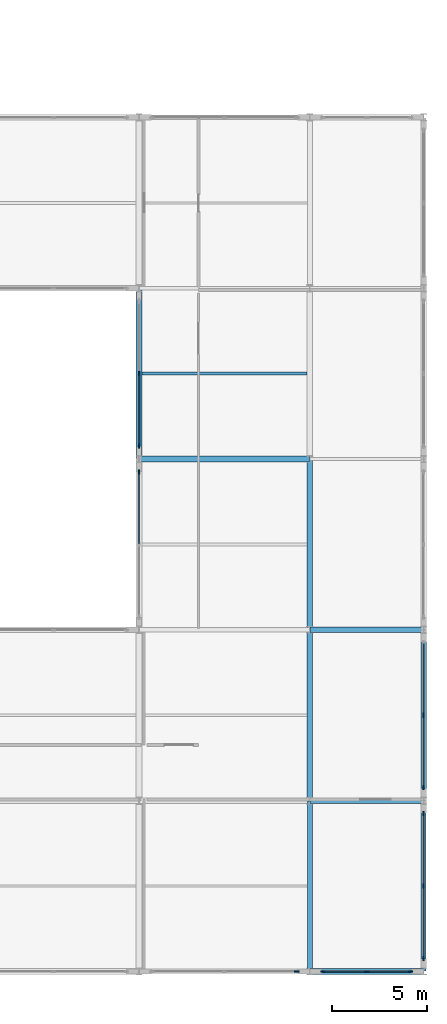
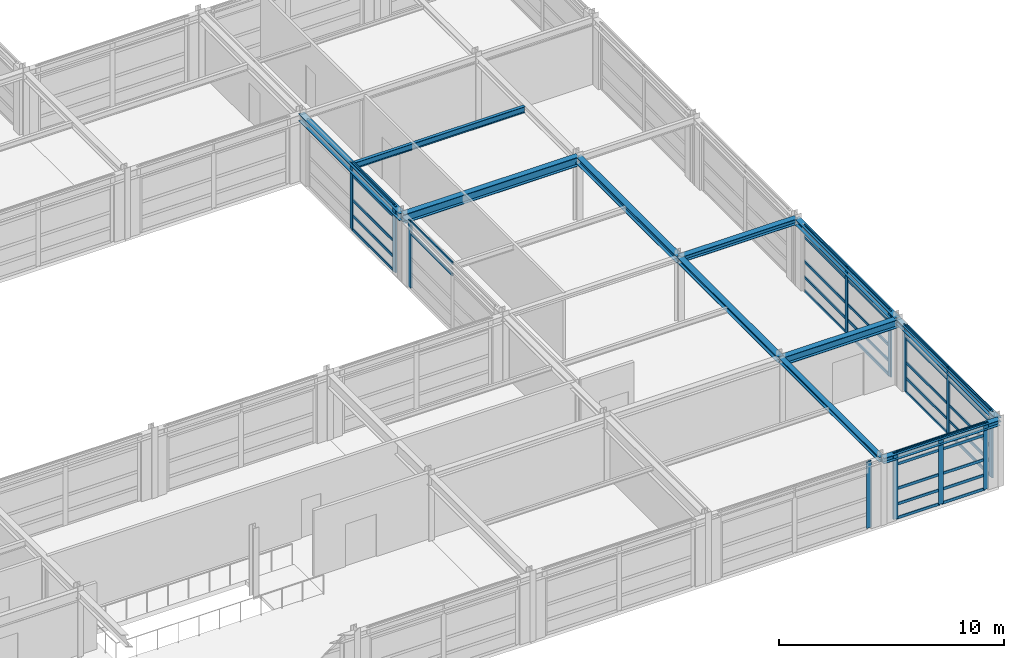
# One storey, part 42 of 79: 49 members, 11 beams, 6 elements without a shape of their own.
"""IFC4 building model written with IfcOpenShell, lengths in metres."""

from ifc_helpers import new_model, si_unit, direction, frame, origin, origin_2d, place, context, subcontext, project, spatial, rectangle, i_section, extrude, material, material_profile, profile_set, type_object, element, aggregate, save


model = new_model("IFC4")

# Units and contexts
model_context = context("Model", 3, precision=1e-05, world=origin(), true_north=direction((0.0, 1.0)))
body_context = subcontext(model_context, "Body", "Model", "MODEL_VIEW")
ifc_project = project(units=[si_unit("LENGTHUNIT", "METRE"), si_unit("AREAUNIT", "SQUARE_METRE"), si_unit("VOLUMEUNIT", "CUBIC_METRE"), si_unit("PLANEANGLEUNIT", "RADIAN"), si_unit("MASSUNIT", "GRAM", prefix="KILO")], contexts=[model_context])

# Site, building, storey
site_placement = place(None, origin())
site = spatial("IfcSite", under=ifc_project, at=site_placement, CompositionType="ELEMENT")
building_placement = place(site_placement, origin())
building = spatial("IfcBuilding", under=site, at=building_placement, Name="Palais des Congres Ocreval", CompositionType="ELEMENT")
storey_placement = place(building_placement, frame((0.0, 0.0, 4.320068359375)))
storey = spatial("IfcBuildingStorey", under=building, at=storey_placement, Name="L01", CompositionType="ELEMENT", Elevation=4.320068359375)

# Curtain wall, members
ifc_material_1 = material(Name="Anodized bronze aluminium and low-E glass", Category="glass")
curtain_wall_type_1 = type_object("IfcCurtainWallType", Name="Unitised Curtain Wall 7900x3660", PredefinedType="USERDEFINED", material=ifc_material_1)
curtain_wall_1_placement = place(storey_placement, origin())
curtain_wall_1 = element("IfcCurtainWall", 1, at=curtain_wall_1_placement, inside=storey, type_object=curtain_wall_type_1, Name="Unitised Curtain Wall CW02 L01", ObjectType="UNITISED CURTAIN WALL", PredefinedType="USERDEFINED")
ifc_material_2 = material(Name="Anodized bronze aluminium", Category="aluminium")
ifc_material_profile_1 = material_profile(ifc_material_2, rectangle(XDim=0.074951171875, YDim=0.239990234375, at=origin_2d()), Name="ALU 75x240")
ifc_profile_set_1 = profile_set([ifc_material_profile_1], Name="Anodized bronze aluminium")
member_type_1 = type_object("IfcMemberType", Name="Curtain Wall Mullion ALU 75x240", PredefinedType="MULLION", material=ifc_profile_set_1)
member_1_placement = place(storey_placement, frame((168.0, 13.5, 0.0), z_axis=(0.0, 0.0, 1.0), x_axis=(1.0, 0.0, 0.0)))
member_1 = element("IfcMember", 2, at=member_1_placement, type_object=member_type_1, Name="Curtain Wall Mullion ML01", PredefinedType="MULLION", context=body_context, shape_type="SweptSolid", body=[
    extrude(rectangle(XDim=0.074951171875, YDim=0.239990234375, at=origin_2d()), origin(), (0.0, 0.0, 1.0), 3.599853515625),
])
member_2_placement = place(storey_placement, frame((168.0, 9.6875, 0.0), z_axis=(0.0, 0.0, 1.0), x_axis=(1.0, 0.0, 0.0)))
member_2 = element("IfcMember", 3, at=member_2_placement, type_object=member_type_1, Name="Curtain Wall Mullion ML01", PredefinedType="MULLION", context=body_context, shape_type="SweptSolid", body=[
    extrude(rectangle(XDim=0.074951171875, YDim=0.239990234375, at=origin_2d()), origin(), (0.0, 0.0, 1.0), 3.599853515625),
])

curtain_wall_2_placement = place(storey_placement, origin())
curtain_wall_2 = element("IfcCurtainWall", 4, at=curtain_wall_2_placement, inside=storey, type_object=curtain_wall_type_1, Name="Unitised Curtain Wall CW02 L01", ObjectType="UNITISED CURTAIN WALL", PredefinedType="USERDEFINED")
member_3_placement = place(storey_placement, frame((168.0, 8.3125, 0.0), z_axis=(0.0, 0.0, 1.0), x_axis=(1.0, 0.0, 0.0)))
member_3 = element("IfcMember", 5, at=member_3_placement, type_object=member_type_1, Name="Curtain Wall Mullion ML01", PredefinedType="MULLION", context=body_context, shape_type="SweptSolid", body=[
    extrude(rectangle(XDim=0.074951171875, YDim=0.239990234375, at=origin_2d()), origin(), (0.0, 0.0, 1.0), 3.599853515625),
])
member_4_placement = place(storey_placement, frame((168.0, 4.5, 0.0), z_axis=(0.0, 0.0, 1.0), x_axis=(1.0, 0.0, 0.0)))
member_4 = element("IfcMember", 6, at=member_4_placement, type_object=member_type_1, Name="Curtain Wall Mullion ML01", PredefinedType="MULLION", context=body_context, shape_type="SweptSolid", body=[
    extrude(rectangle(XDim=0.074951171875, YDim=0.239990234375, at=origin_2d()), origin(), (0.0, 0.0, 1.0), 3.599853515625),
])
member_5_placement = place(storey_placement, frame((168.0, 0.6875, 0.0), z_axis=(0.0, 0.0, 1.0), x_axis=(1.0, 0.0, 0.0)))
member_5 = element("IfcMember", 7, at=member_5_placement, type_object=member_type_1, Name="Curtain Wall Mullion ML01", PredefinedType="MULLION", context=body_context, shape_type="SweptSolid", body=[
    extrude(rectangle(XDim=0.074951171875, YDim=0.239990234375, at=origin_2d()), origin(), (0.0, 0.0, 1.0), 3.599853515625),
])

curtain_wall_type_2 = type_object("IfcCurtainWallType", Name="Unitised Curtain Wall 4900x4060", PredefinedType="USERDEFINED", material=ifc_material_1)
curtain_wall_3_placement = place(storey_placement, origin())
curtain_wall_3 = element("IfcCurtainWall", 8, at=curtain_wall_3_placement, inside=storey, type_object=curtain_wall_type_2, Name="Unitised Curtain Wall CW07 L01", ObjectType="UNITISED CURTAIN WALL", PredefinedType="USERDEFINED")
member_6_placement = place(storey_placement, frame((167.3125, 0.0, 0.0), z_axis=(0.0, 0.0, 1.0), x_axis=(0.0, -1.0, 0.0)))
member_6 = element("IfcMember", 9, at=member_6_placement, type_object=member_type_1, Name="Curtain Wall Mullion ML01", PredefinedType="MULLION", context=body_context, shape_type="SweptSolid", body=[
    extrude(rectangle(XDim=0.074951171875, YDim=0.239990234375, at=origin_2d()), origin(), (0.0, 0.0, 1.0), 3.599853515625),
])
member_7_placement = place(storey_placement, frame((165.0, 0.0, 0.0), z_axis=(0.0, 0.0, 1.0), x_axis=(0.0, -1.0, 0.0)))
member_7 = element("IfcMember", 10, at=member_7_placement, type_object=member_type_1, Name="Curtain Wall Mullion ML01", PredefinedType="MULLION", context=body_context, shape_type="SweptSolid", body=[
    extrude(rectangle(XDim=0.074951171875, YDim=0.239990234375, at=origin_2d()), origin(), (0.0, 0.0, 1.0), 3.599853515625),
])
member_8_placement = place(storey_placement, frame((162.6875, 0.0, 0.0), z_axis=(0.0, 0.0, 1.0), x_axis=(0.0, -1.0, 0.0)))
member_8 = element("IfcMember", 11, at=member_8_placement, type_object=member_type_1, Name="Curtain Wall Mullion ML01", PredefinedType="MULLION", context=body_context, shape_type="SweptSolid", body=[
    extrude(rectangle(XDim=0.074951171875, YDim=0.239990234375, at=origin_2d()), origin(), (0.0, 0.0, 1.0), 3.599853515625),
])

# Curtain wall, member
curtain_wall_4_placement = place(storey_placement, origin())
curtain_wall_4 = element("IfcCurtainWall", 12, at=curtain_wall_4_placement, inside=storey, type_object=curtain_wall_type_1, Name="Unitised Curtain Wall CW02 L01", ObjectType="UNITISED CURTAIN WALL", PredefinedType="USERDEFINED")
member_9_placement = place(storey_placement, frame((161.3125, 0.0, 0.0), z_axis=(0.0, 0.0, 1.0), x_axis=(0.0, -1.0, 0.0)))
member_9 = element("IfcMember", 13, at=member_9_placement, type_object=member_type_1, Name="Curtain Wall Mullion ML01", PredefinedType="MULLION", context=body_context, shape_type="SweptSolid", body=[
    extrude(rectangle(XDim=0.074951171875, YDim=0.239990234375, at=origin_2d()), origin(), (0.0, 0.0, 1.0), 3.599853515625),
])
aggregate(curtain_wall_4, [member_9])

curtain_wall_5_placement = place(storey_placement, origin())
curtain_wall_5 = element("IfcCurtainWall", 14, at=curtain_wall_5_placement, inside=storey, type_object=curtain_wall_type_1, Name="Unitised Curtain Wall CW02 L01", ObjectType="UNITISED CURTAIN WALL", PredefinedType="USERDEFINED")
member_10_placement = place(storey_placement, frame((153.0, 26.3125, 0.0), z_axis=(0.0, 0.0, 1.0), x_axis=(-1.0, 0.0, 0.0)))
member_10 = element("IfcMember", 15, at=member_10_placement, type_object=member_type_1, Name="Curtain Wall Mullion ML01", PredefinedType="MULLION", context=body_context, shape_type="SweptSolid", body=[
    extrude(rectangle(XDim=0.074951171875, YDim=0.239990234375, at=origin_2d()), origin(), (0.0, 0.0, 1.0), 3.599853515625),
])

# Curtain wall, members
curtain_wall_6_placement = place(storey_placement, origin())
curtain_wall_6 = element("IfcCurtainWall", 16, at=curtain_wall_6_placement, inside=storey, type_object=curtain_wall_type_1, Name="Unitised Curtain Wall CW02 L01", ObjectType="UNITISED CURTAIN WALL", PredefinedType="USERDEFINED")
member_11_placement = place(storey_placement, frame((153.0, 27.6875, 0.0), z_axis=(0.0, 0.0, 1.0), x_axis=(-1.0, 0.0, 0.0)))
member_11 = element("IfcMember", 17, at=member_11_placement, type_object=member_type_1, Name="Curtain Wall Mullion ML01", PredefinedType="MULLION", context=body_context, shape_type="SweptSolid", body=[
    extrude(rectangle(XDim=0.074951171875, YDim=0.239990234375, at=origin_2d()), origin(), (0.0, 0.0, 1.0), 3.599853515625),
])
member_12_placement = place(storey_placement, frame((153.0, 31.5, 0.0), z_axis=(0.0, 0.0, 1.0), x_axis=(-1.0, 0.0, 0.0)))
member_12 = element("IfcMember", 18, at=member_12_placement, type_object=member_type_1, Name="Curtain Wall Mullion ML01", PredefinedType="MULLION", context=body_context, shape_type="SweptSolid", body=[
    extrude(rectangle(XDim=0.074951171875, YDim=0.239990234375, at=origin_2d()), origin(), (0.0, 0.0, 1.0), 3.599853515625),
])

# Member
ifc_material_profile_2 = material_profile(ifc_material_2, rectangle(XDim=0.06005859375, YDim=0.14990234375, at=origin_2d()), Name="ALU 60x150")
ifc_profile_set_2 = profile_set([ifc_material_profile_2], Name="Anodized bronze aluminium")
member_type_2 = type_object("IfcMemberType", Name="Curtain Wall Transom ALU 60x150", PredefinedType="USERDEFINED", material=ifc_profile_set_2)
member_13_placement = place(storey_placement, frame((168.0, 17.27490234375, 0.030029296875), z_axis=(0.0, -1.0, 0.0), x_axis=(1.0, 0.0, 0.0)))
member_13 = element("IfcMember", 19, at=member_13_placement, type_object=member_type_2, Name="Curtain Wall Transom TR01", ObjectType="TRANSOM", PredefinedType="USERDEFINED", context=body_context, shape_type="SweptSolid", body=[
    extrude(rectangle(XDim=0.06005859375, YDim=0.14990234375, at=origin_2d()), origin(), (0.0, 0.0, 1.0), 3.7373046875),
])

member_14_placement = place(storey_placement, frame((168.0, 17.27490234375, 0.780029296875), z_axis=(0.0, -1.0, 0.0), x_axis=(1.0, 0.0, 0.0)))
member_14 = element("IfcMember", 20, at=member_14_placement, type_object=member_type_2, Name="Curtain Wall Transom TR01", ObjectType="TRANSOM", PredefinedType="USERDEFINED", context=body_context, shape_type="SweptSolid", body=[
    extrude(rectangle(XDim=0.06005859375, YDim=0.14990234375, at=origin_2d()), origin(), (0.0, 0.0, 1.0), 3.7373046875),
])

member_15_placement = place(storey_placement, frame((168.0, 17.27490234375, 1.622314453125), z_axis=(0.0, -1.0, 0.0), x_axis=(1.0, 0.0, 0.0)))
member_15 = element("IfcMember", 21, at=member_15_placement, type_object=member_type_2, Name="Curtain Wall Transom TR01", ObjectType="TRANSOM", PredefinedType="USERDEFINED", context=body_context, shape_type="SweptSolid", body=[
    extrude(rectangle(XDim=0.06005859375, YDim=0.14990234375, at=origin_2d()), origin(), (0.0, 0.0, 1.0), 3.7373046875),
])

member_16_placement = place(storey_placement, frame((168.0, 17.27490234375, 2.949951171875), z_axis=(0.0, -1.0, 0.0), x_axis=(1.0, 0.0, 0.0)))
member_16 = element("IfcMember", 22, at=member_16_placement, type_object=member_type_2, Name="Curtain Wall Transom TR01", ObjectType="TRANSOM", PredefinedType="USERDEFINED", context=body_context, shape_type="SweptSolid", body=[
    extrude(rectangle(XDim=0.06005859375, YDim=0.14990234375, at=origin_2d()), origin(), (0.0, 0.0, 1.0), 3.7373046875),
])

member_17_placement = place(storey_placement, frame((168.0, 17.27490234375, 3.56982421875), z_axis=(0.0, -1.0, 0.0), x_axis=(1.0, 0.0, 0.0)))
member_17 = element("IfcMember", 23, at=member_17_placement, type_object=member_type_2, Name="Curtain Wall Transom TR01", ObjectType="TRANSOM", PredefinedType="USERDEFINED", context=body_context, shape_type="SweptSolid", body=[
    extrude(rectangle(XDim=0.06005859375, YDim=0.14990234375, at=origin_2d()), origin(), (0.0, 0.0, 1.0), 3.7373046875),
])

member_18_placement = place(storey_placement, frame((168.0, 13.46240234375, 0.030029296875), z_axis=(0.0, -1.0, 0.0), x_axis=(1.0, 0.0, 0.0)))
member_18 = element("IfcMember", 24, at=member_18_placement, type_object=member_type_2, Name="Curtain Wall Transom TR01", ObjectType="TRANSOM", PredefinedType="USERDEFINED", context=body_context, shape_type="SweptSolid", body=[
    extrude(rectangle(XDim=0.06005859375, YDim=0.14990234375, at=origin_2d()), origin(), (0.0, 0.0, 1.0), 3.7373046875),
])

member_19_placement = place(storey_placement, frame((168.0, 13.46240234375, 0.780029296875), z_axis=(0.0, -1.0, 0.0), x_axis=(1.0, 0.0, 0.0)))
member_19 = element("IfcMember", 25, at=member_19_placement, type_object=member_type_2, Name="Curtain Wall Transom TR01", ObjectType="TRANSOM", PredefinedType="USERDEFINED", context=body_context, shape_type="SweptSolid", body=[
    extrude(rectangle(XDim=0.06005859375, YDim=0.14990234375, at=origin_2d()), origin(), (0.0, 0.0, 1.0), 3.7373046875),
])

member_20_placement = place(storey_placement, frame((168.0, 13.46240234375, 1.622314453125), z_axis=(0.0, -1.0, 0.0), x_axis=(1.0, 0.0, 0.0)))
member_20 = element("IfcMember", 26, at=member_20_placement, type_object=member_type_2, Name="Curtain Wall Transom TR01", ObjectType="TRANSOM", PredefinedType="USERDEFINED", context=body_context, shape_type="SweptSolid", body=[
    extrude(rectangle(XDim=0.06005859375, YDim=0.14990234375, at=origin_2d()), origin(), (0.0, 0.0, 1.0), 3.7373046875),
])

member_21_placement = place(storey_placement, frame((168.0, 13.46240234375, 2.949951171875), z_axis=(0.0, -1.0, 0.0), x_axis=(1.0, 0.0, 0.0)))
member_21 = element("IfcMember", 27, at=member_21_placement, type_object=member_type_2, Name="Curtain Wall Transom TR01", ObjectType="TRANSOM", PredefinedType="USERDEFINED", context=body_context, shape_type="SweptSolid", body=[
    extrude(rectangle(XDim=0.06005859375, YDim=0.14990234375, at=origin_2d()), origin(), (0.0, 0.0, 1.0), 3.7373046875),
])

member_22_placement = place(storey_placement, frame((168.0, 13.46240234375, 3.56982421875), z_axis=(0.0, -1.0, 0.0), x_axis=(1.0, 0.0, 0.0)))
member_22 = element("IfcMember", 28, at=member_22_placement, type_object=member_type_2, Name="Curtain Wall Transom TR01", ObjectType="TRANSOM", PredefinedType="USERDEFINED", context=body_context, shape_type="SweptSolid", body=[
    extrude(rectangle(XDim=0.06005859375, YDim=0.14990234375, at=origin_2d()), origin(), (0.0, 0.0, 1.0), 3.7373046875),
])

aggregate(curtain_wall_1, [member_1, member_2, member_13, member_14, member_15, member_16, member_17, member_18, member_19, member_20, member_21, member_22])

member_23_placement = place(storey_placement, frame((168.0, 8.27490234375, 0.030029296875), z_axis=(0.0, -1.0, 0.0), x_axis=(1.0, 0.0, 0.0)))
member_23 = element("IfcMember", 29, at=member_23_placement, type_object=member_type_2, Name="Curtain Wall Transom TR01", ObjectType="TRANSOM", PredefinedType="USERDEFINED", context=body_context, shape_type="SweptSolid", body=[
    extrude(rectangle(XDim=0.06005859375, YDim=0.14990234375, at=origin_2d()), origin(), (0.0, 0.0, 1.0), 3.7373046875),
])

member_24_placement = place(storey_placement, frame((168.0, 8.27490234375, 0.780029296875), z_axis=(0.0, -1.0, 0.0), x_axis=(1.0, 0.0, 0.0)))
member_24 = element("IfcMember", 30, at=member_24_placement, type_object=member_type_2, Name="Curtain Wall Transom TR01", ObjectType="TRANSOM", PredefinedType="USERDEFINED", context=body_context, shape_type="SweptSolid", body=[
    extrude(rectangle(XDim=0.06005859375, YDim=0.14990234375, at=origin_2d()), origin(), (0.0, 0.0, 1.0), 3.7373046875),
])

member_25_placement = place(storey_placement, frame((168.0, 8.27490234375, 1.622314453125), z_axis=(0.0, -1.0, 0.0), x_axis=(1.0, 0.0, 0.0)))
member_25 = element("IfcMember", 31, at=member_25_placement, type_object=member_type_2, Name="Curtain Wall Transom TR01", ObjectType="TRANSOM", PredefinedType="USERDEFINED", context=body_context, shape_type="SweptSolid", body=[
    extrude(rectangle(XDim=0.06005859375, YDim=0.14990234375, at=origin_2d()), origin(), (0.0, 0.0, 1.0), 3.7373046875),
])

member_26_placement = place(storey_placement, frame((168.0, 8.27490234375, 2.949951171875), z_axis=(0.0, -1.0, 0.0), x_axis=(1.0, 0.0, 0.0)))
member_26 = element("IfcMember", 32, at=member_26_placement, type_object=member_type_2, Name="Curtain Wall Transom TR01", ObjectType="TRANSOM", PredefinedType="USERDEFINED", context=body_context, shape_type="SweptSolid", body=[
    extrude(rectangle(XDim=0.06005859375, YDim=0.14990234375, at=origin_2d()), origin(), (0.0, 0.0, 1.0), 3.7373046875),
])

member_27_placement = place(storey_placement, frame((168.0, 8.27490234375, 3.56982421875), z_axis=(0.0, -1.0, 0.0), x_axis=(1.0, 0.0, 0.0)))
member_27 = element("IfcMember", 33, at=member_27_placement, type_object=member_type_2, Name="Curtain Wall Transom TR01", ObjectType="TRANSOM", PredefinedType="USERDEFINED", context=body_context, shape_type="SweptSolid", body=[
    extrude(rectangle(XDim=0.06005859375, YDim=0.14990234375, at=origin_2d()), origin(), (0.0, 0.0, 1.0), 3.7373046875),
])

member_28_placement = place(storey_placement, frame((168.0, 4.46240234375, 0.030029296875), z_axis=(0.0, -1.0, 0.0), x_axis=(1.0, 0.0, 0.0)))
member_28 = element("IfcMember", 34, at=member_28_placement, type_object=member_type_2, Name="Curtain Wall Transom TR01", ObjectType="TRANSOM", PredefinedType="USERDEFINED", context=body_context, shape_type="SweptSolid", body=[
    extrude(rectangle(XDim=0.06005859375, YDim=0.14990234375, at=origin_2d()), origin(), (0.0, 0.0, 1.0), 3.7373046875),
])

member_29_placement = place(storey_placement, frame((168.0, 4.46240234375, 0.780029296875), z_axis=(0.0, -1.0, 0.0), x_axis=(1.0, 0.0, 0.0)))
member_29 = element("IfcMember", 35, at=member_29_placement, type_object=member_type_2, Name="Curtain Wall Transom TR01", ObjectType="TRANSOM", PredefinedType="USERDEFINED", context=body_context, shape_type="SweptSolid", body=[
    extrude(rectangle(XDim=0.06005859375, YDim=0.14990234375, at=origin_2d()), origin(), (0.0, 0.0, 1.0), 3.7373046875),
])

member_30_placement = place(storey_placement, frame((168.0, 4.46240234375, 1.622314453125), z_axis=(0.0, -1.0, 0.0), x_axis=(1.0, 0.0, 0.0)))
member_30 = element("IfcMember", 36, at=member_30_placement, type_object=member_type_2, Name="Curtain Wall Transom TR01", ObjectType="TRANSOM", PredefinedType="USERDEFINED", context=body_context, shape_type="SweptSolid", body=[
    extrude(rectangle(XDim=0.06005859375, YDim=0.14990234375, at=origin_2d()), origin(), (0.0, 0.0, 1.0), 3.7373046875),
])

member_31_placement = place(storey_placement, frame((168.0, 4.46240234375, 2.949951171875), z_axis=(0.0, -1.0, 0.0), x_axis=(1.0, 0.0, 0.0)))
member_31 = element("IfcMember", 37, at=member_31_placement, type_object=member_type_2, Name="Curtain Wall Transom TR01", ObjectType="TRANSOM", PredefinedType="USERDEFINED", context=body_context, shape_type="SweptSolid", body=[
    extrude(rectangle(XDim=0.06005859375, YDim=0.14990234375, at=origin_2d()), origin(), (0.0, 0.0, 1.0), 3.7373046875),
])

member_32_placement = place(storey_placement, frame((168.0, 4.46240234375, 3.56982421875), z_axis=(0.0, -1.0, 0.0), x_axis=(1.0, 0.0, 0.0)))
member_32 = element("IfcMember", 38, at=member_32_placement, type_object=member_type_2, Name="Curtain Wall Transom TR01", ObjectType="TRANSOM", PredefinedType="USERDEFINED", context=body_context, shape_type="SweptSolid", body=[
    extrude(rectangle(XDim=0.06005859375, YDim=0.14990234375, at=origin_2d()), origin(), (0.0, 0.0, 1.0), 3.7373046875),
])

aggregate(curtain_wall_2, [member_3, member_4, member_5, member_23, member_24, member_25, member_26, member_27, member_28, member_29, member_30, member_31, member_32])

member_33_placement = place(storey_placement, frame((167.27490234375, 0.0, 0.030029296875), z_axis=(-1.0, 0.0, 0.0), x_axis=(0.0, -1.0, 0.0)))
member_33 = element("IfcMember", 39, at=member_33_placement, type_object=member_type_2, Name="Curtain Wall Transom TR01", ObjectType="TRANSOM", PredefinedType="USERDEFINED", context=body_context, shape_type="SweptSolid", body=[
    extrude(rectangle(XDim=0.06005859375, YDim=0.14990234375, at=origin_2d()), origin(), (0.0, 0.0, 1.0), 2.2373046875),
])

member_34_placement = place(storey_placement, frame((167.27490234375, 0.0, 0.780029296875), z_axis=(-1.0, 0.0, 0.0), x_axis=(0.0, -1.0, 0.0)))
member_34 = element("IfcMember", 40, at=member_34_placement, type_object=member_type_2, Name="Curtain Wall Transom TR01", ObjectType="TRANSOM", PredefinedType="USERDEFINED", context=body_context, shape_type="SweptSolid", body=[
    extrude(rectangle(XDim=0.06005859375, YDim=0.14990234375, at=origin_2d()), origin(), (0.0, 0.0, 1.0), 2.2373046875),
])

member_35_placement = place(storey_placement, frame((167.27490234375, 0.0, 1.622314453125), z_axis=(-1.0, 0.0, 0.0), x_axis=(0.0, -1.0, 0.0)))
member_35 = element("IfcMember", 41, at=member_35_placement, type_object=member_type_2, Name="Curtain Wall Transom TR01", ObjectType="TRANSOM", PredefinedType="USERDEFINED", context=body_context, shape_type="SweptSolid", body=[
    extrude(rectangle(XDim=0.06005859375, YDim=0.14990234375, at=origin_2d()), origin(), (0.0, 0.0, 1.0), 2.2373046875),
])

member_36_placement = place(storey_placement, frame((167.27490234375, 0.0, 2.949951171875), z_axis=(-1.0, 0.0, 0.0), x_axis=(0.0, -1.0, 0.0)))
member_36 = element("IfcMember", 42, at=member_36_placement, type_object=member_type_2, Name="Curtain Wall Transom TR01", ObjectType="TRANSOM", PredefinedType="USERDEFINED", context=body_context, shape_type="SweptSolid", body=[
    extrude(rectangle(XDim=0.06005859375, YDim=0.14990234375, at=origin_2d()), origin(), (0.0, 0.0, 1.0), 2.2373046875),
])

member_37_placement = place(storey_placement, frame((167.27490234375, 0.0, 3.56982421875), z_axis=(-1.0, 0.0, 0.0), x_axis=(0.0, -1.0, 0.0)))
member_37 = element("IfcMember", 43, at=member_37_placement, type_object=member_type_2, Name="Curtain Wall Transom TR01", ObjectType="TRANSOM", PredefinedType="USERDEFINED", context=body_context, shape_type="SweptSolid", body=[
    extrude(rectangle(XDim=0.06005859375, YDim=0.14990234375, at=origin_2d()), origin(), (0.0, 0.0, 1.0), 2.2373046875),
])

member_38_placement = place(storey_placement, frame((164.96240234375, 0.0, 0.030029296875), z_axis=(-1.0, 0.0, 0.0), x_axis=(0.0, -1.0, 0.0)))
member_38 = element("IfcMember", 44, at=member_38_placement, type_object=member_type_2, Name="Curtain Wall Transom TR01", ObjectType="TRANSOM", PredefinedType="USERDEFINED", context=body_context, shape_type="SweptSolid", body=[
    extrude(rectangle(XDim=0.06005859375, YDim=0.14990234375, at=origin_2d()), origin(), (0.0, 0.0, 1.0), 2.2373046875),
])

member_39_placement = place(storey_placement, frame((164.96240234375, 0.0, 0.780029296875), z_axis=(-1.0, 0.0, 0.0), x_axis=(0.0, -1.0, 0.0)))
member_39 = element("IfcMember", 45, at=member_39_placement, type_object=member_type_2, Name="Curtain Wall Transom TR01", ObjectType="TRANSOM", PredefinedType="USERDEFINED", context=body_context, shape_type="SweptSolid", body=[
    extrude(rectangle(XDim=0.06005859375, YDim=0.14990234375, at=origin_2d()), origin(), (0.0, 0.0, 1.0), 2.2373046875),
])

member_40_placement = place(storey_placement, frame((164.96240234375, 0.0, 1.622314453125), z_axis=(-1.0, 0.0, 0.0), x_axis=(0.0, -1.0, 0.0)))
member_40 = element("IfcMember", 46, at=member_40_placement, type_object=member_type_2, Name="Curtain Wall Transom TR01", ObjectType="TRANSOM", PredefinedType="USERDEFINED", context=body_context, shape_type="SweptSolid", body=[
    extrude(rectangle(XDim=0.06005859375, YDim=0.14990234375, at=origin_2d()), origin(), (0.0, 0.0, 1.0), 2.2373046875),
])

member_41_placement = place(storey_placement, frame((164.96240234375, 0.0, 2.949951171875), z_axis=(-1.0, 0.0, 0.0), x_axis=(0.0, -1.0, 0.0)))
member_41 = element("IfcMember", 47, at=member_41_placement, type_object=member_type_2, Name="Curtain Wall Transom TR01", ObjectType="TRANSOM", PredefinedType="USERDEFINED", context=body_context, shape_type="SweptSolid", body=[
    extrude(rectangle(XDim=0.06005859375, YDim=0.14990234375, at=origin_2d()), origin(), (0.0, 0.0, 1.0), 2.2373046875),
])

member_42_placement = place(storey_placement, frame((164.96240234375, 0.0, 3.56982421875), z_axis=(-1.0, 0.0, 0.0), x_axis=(0.0, -1.0, 0.0)))
member_42 = element("IfcMember", 48, at=member_42_placement, type_object=member_type_2, Name="Curtain Wall Transom TR01", ObjectType="TRANSOM", PredefinedType="USERDEFINED", context=body_context, shape_type="SweptSolid", body=[
    extrude(rectangle(XDim=0.06005859375, YDim=0.14990234375, at=origin_2d()), origin(), (0.0, 0.0, 1.0), 2.2373046875),
])

aggregate(curtain_wall_3, [member_6, member_7, member_8, member_33, member_34, member_35, member_36, member_37, member_38, member_39, member_40, member_41, member_42])

member_43_placement = place(storey_placement, frame((153.0, 22.53759765625, 2.949951171875), z_axis=(0.0, 1.0, 0.0), x_axis=(-1.0, 0.0, 0.0)))
member_43 = element("IfcMember", 49, at=member_43_placement, type_object=member_type_2, Name="Curtain Wall Transom TR01", ObjectType="TRANSOM", PredefinedType="USERDEFINED", context=body_context, shape_type="SweptSolid", body=[
    extrude(rectangle(XDim=0.06005859375, YDim=0.14990234375, at=origin_2d()), origin(), (0.0, 0.0, 1.0), 3.7373046875),
])

member_44_placement = place(storey_placement, frame((153.0, 22.53759765625, 3.56982421875), z_axis=(0.0, 1.0, 0.0), x_axis=(-1.0, 0.0, 0.0)))
member_44 = element("IfcMember", 50, at=member_44_placement, type_object=member_type_2, Name="Curtain Wall Transom TR01", ObjectType="TRANSOM", PredefinedType="USERDEFINED", context=body_context, shape_type="SweptSolid", body=[
    extrude(rectangle(XDim=0.06005859375, YDim=0.14990234375, at=origin_2d()), origin(), (0.0, 0.0, 1.0), 3.7373046875),
])

aggregate(curtain_wall_5, [member_10, member_43, member_44])

member_45_placement = place(storey_placement, frame((153.0, 27.72509765625, 0.030029296875), z_axis=(0.0, 1.0, 0.0), x_axis=(-1.0, 0.0, 0.0)))
member_45 = element("IfcMember", 51, at=member_45_placement, type_object=member_type_2, Name="Curtain Wall Transom TR01", ObjectType="TRANSOM", PredefinedType="USERDEFINED", context=body_context, shape_type="SweptSolid", body=[
    extrude(rectangle(XDim=0.06005859375, YDim=0.14990234375, at=origin_2d()), origin(), (0.0, 0.0, 1.0), 3.7373046875),
])

member_46_placement = place(storey_placement, frame((153.0, 27.72509765625, 0.780029296875), z_axis=(0.0, 1.0, 0.0), x_axis=(-1.0, 0.0, 0.0)))
member_46 = element("IfcMember", 52, at=member_46_placement, type_object=member_type_2, Name="Curtain Wall Transom TR01", ObjectType="TRANSOM", PredefinedType="USERDEFINED", context=body_context, shape_type="SweptSolid", body=[
    extrude(rectangle(XDim=0.06005859375, YDim=0.14990234375, at=origin_2d()), origin(), (0.0, 0.0, 1.0), 3.7373046875),
])

member_47_placement = place(storey_placement, frame((153.0, 27.72509765625, 1.622314453125), z_axis=(0.0, 1.0, 0.0), x_axis=(-1.0, 0.0, 0.0)))
member_47 = element("IfcMember", 53, at=member_47_placement, type_object=member_type_2, Name="Curtain Wall Transom TR01", ObjectType="TRANSOM", PredefinedType="USERDEFINED", context=body_context, shape_type="SweptSolid", body=[
    extrude(rectangle(XDim=0.06005859375, YDim=0.14990234375, at=origin_2d()), origin(), (0.0, 0.0, 1.0), 3.7373046875),
])

member_48_placement = place(storey_placement, frame((153.0, 27.72509765625, 2.949951171875), z_axis=(0.0, 1.0, 0.0), x_axis=(-1.0, 0.0, 0.0)))
member_48 = element("IfcMember", 54, at=member_48_placement, type_object=member_type_2, Name="Curtain Wall Transom TR01", ObjectType="TRANSOM", PredefinedType="USERDEFINED", context=body_context, shape_type="SweptSolid", body=[
    extrude(rectangle(XDim=0.06005859375, YDim=0.14990234375, at=origin_2d()), origin(), (0.0, 0.0, 1.0), 3.7373046875),
])

member_49_placement = place(storey_placement, frame((153.0, 27.72509765625, 3.56982421875), z_axis=(0.0, 1.0, 0.0), x_axis=(-1.0, 0.0, 0.0)))
member_49 = element("IfcMember", 55, at=member_49_placement, type_object=member_type_2, Name="Curtain Wall Transom TR01", ObjectType="TRANSOM", PredefinedType="USERDEFINED", context=body_context, shape_type="SweptSolid", body=[
    extrude(rectangle(XDim=0.06005859375, YDim=0.14990234375, at=origin_2d()), origin(), (0.0, 0.0, 1.0), 3.7373046875),
])

aggregate(curtain_wall_6, [member_11, member_12, member_45, member_46, member_47, member_48, member_49])

# Beams
ifc_material_3 = material(Name="Steel S355", Category="steel")
ifc_material_profile_3 = material_profile(ifc_material_3, i_section(OverallWidth=0.260009765625, OverallDepth=0.260009765625, WebThickness=0.010009765625, FlangeThickness=0.017578125, at=origin_2d()), Name="HEB 260")
ifc_profile_set_3 = profile_set([ifc_material_profile_3], Name="Steel S355")
beam_type_1 = type_object("IfcBeamType", Name="Opening Lintel HEB 260 Steel S355", PredefinedType="LINTEL", material=ifc_profile_set_3)
for number, where, z_axis, x_axis, name in (
    (56, (162.0, 0.02001953125, 3.449951171875), (0.0, 1.0, 0.0), (-1.0, 0.0, 0.0), "Girder LN01 L01"),
    (57, (168.0, 0.02001953125, 3.449951171875), (0.0, 1.0, 0.0), (-1.0, 0.0, 0.0), "Girder LN01 L01"),
):
    element("IfcBeam", number, at=place(storey_placement, frame(where, z_axis=z_axis, x_axis=x_axis)), inside=storey, type_object=beam_type_1, Name=name, PredefinedType="LINTEL", context=body_context, shape_type="SweptSolid", body=[
        extrude(i_section(OverallWidth=0.260009765625, OverallDepth=0.260009765625, WebThickness=0.010009765625, FlangeThickness=0.017578125, at=origin_2d()), origin(), (0.0, 0.0, 1.0), 8.9599609375),
    ])
ifc_material_profile_4 = material_profile(ifc_material_3, i_section(OverallWidth=0.300048828125, OverallDepth=0.300048828125, WebThickness=0.010986328125, FlangeThickness=0.01904296875, at=origin_2d()), Name="HEB 300")
ifc_profile_set_4 = profile_set([ifc_material_profile_4], Name="Steel S355")
beam_type_2 = type_object("IfcBeamType", Name="Perimeter Spandrel HEB 300 Steel S355", PredefinedType="SPANDREL", material=ifc_profile_set_4)
beam_1_placement = place(storey_placement, frame((162.02001953125, 0.0, 3.429931640625), z_axis=(1.0, 0.0, 0.0), x_axis=(0.0, 1.0, 0.0)))
element("IfcBeam", 58, at=beam_1_placement, inside=storey, type_object=beam_type_2, Name="Beam SP02 L01", PredefinedType="SPANDREL", context=body_context, shape_type="SweptSolid", body=[
    extrude(i_section(OverallWidth=0.300048828125, OverallDepth=0.300048828125, WebThickness=0.010986328125, FlangeThickness=0.01904296875, at=origin_2d()), origin(), (0.0, 0.0, 1.0), 5.9599609375),
])
beam_2_placement = place(storey_placement, frame((162.0, 9.02001953125, 3.429931640625), z_axis=(0.0, 1.0, 0.0), x_axis=(-1.0, 0.0, 0.0)))
element("IfcBeam", 59, at=beam_2_placement, inside=storey, type_object=beam_type_2, Name="Girder SP02 L01", PredefinedType="SPANDREL", context=body_context, shape_type="SweptSolid", body=[
    extrude(i_section(OverallWidth=0.300048828125, OverallDepth=0.300048828125, WebThickness=0.010986328125, FlangeThickness=0.01904296875, at=origin_2d()), origin(), (0.0, 0.0, 1.0), 8.9599609375),
])
beam_3_placement = place(storey_placement, frame((162.02001953125, 18.0, 3.429931640625), z_axis=(1.0, 0.0, 0.0), x_axis=(0.0, 1.0, 0.0)))
element("IfcBeam", 60, at=beam_3_placement, inside=storey, type_object=beam_type_2, Name="Beam SP02 L01", PredefinedType="SPANDREL", context=body_context, shape_type="SweptSolid", body=[
    extrude(i_section(OverallWidth=0.300048828125, OverallDepth=0.300048828125, WebThickness=0.010986328125, FlangeThickness=0.01904296875, at=origin_2d()), origin(), (0.0, 0.0, 1.0), 5.9599609375),
])
beam_4_placement = place(storey_placement, frame((168.0, 9.02001953125, 3.429931640625), z_axis=(0.0, 1.0, 0.0), x_axis=(-1.0, 0.0, 0.0)))
element("IfcBeam", 61, at=beam_4_placement, inside=storey, type_object=beam_type_2, Name="Girder SP02 L01", PredefinedType="SPANDREL", context=body_context, shape_type="SweptSolid", body=[
    extrude(i_section(OverallWidth=0.300048828125, OverallDepth=0.300048828125, WebThickness=0.010986328125, FlangeThickness=0.01904296875, at=origin_2d()), origin(), (0.0, 0.0, 1.0), 8.9599609375),
])
ifc_material_profile_5 = material_profile(ifc_material_3, i_section(OverallWidth=0.300048828125, OverallDepth=0.360107421875, WebThickness=0.012451171875, FlangeThickness=0.0224609375, at=origin_2d()), Name="HEB 360")
ifc_profile_set_5 = profile_set([ifc_material_profile_5], Name="Steel S355")
beam_type_3 = type_object("IfcBeamType", Name="Perimeter Spandrel HEB 360 Steel S355", PredefinedType="SPANDREL", material=ifc_profile_set_5)
beam_5_placement = place(storey_placement, frame((162.0, 18.02001953125, 3.39990234375), z_axis=(0.0, 1.0, 0.0), x_axis=(-1.0, 0.0, 0.0)))
element("IfcBeam", 62, at=beam_5_placement, inside=storey, type_object=beam_type_3, Name="Girder SP03 L01", PredefinedType="SPANDREL", context=body_context, shape_type="SweptSolid", body=[
    extrude(i_section(OverallWidth=0.300048828125, OverallDepth=0.360107421875, WebThickness=0.012451171875, FlangeThickness=0.0224609375, at=origin_2d()), origin(), (0.0, 0.0, 1.0), 8.9599609375),
])
ifc_material_profile_6 = material_profile(ifc_material_3, i_section(OverallWidth=0.300048828125, OverallDepth=0.389892578125, WebThickness=0.010986328125, FlangeThickness=0.01904296875, at=origin_2d()), Name="HEA 400")
ifc_profile_set_6 = profile_set([ifc_material_profile_6], Name="Steel S355")
beam_type_4 = type_object("IfcBeamType", Name="Primary Beam HEA 400 Steel S355", PredefinedType="BEAM", material=ifc_profile_set_6)
beam_6_placement = place(storey_placement, frame((153.0, 27.02001953125, 3.385009765625), z_axis=(0.0, 1.0, 0.0), x_axis=(-1.0, 0.0, 0.0)))
element("IfcBeam", 63, at=beam_6_placement, inside=storey, type_object=beam_type_4, Name="Girder B10 L01", PredefinedType="BEAM", context=body_context, shape_type="SweptSolid", body=[
    extrude(i_section(OverallWidth=0.300048828125, OverallDepth=0.389892578125, WebThickness=0.010986328125, FlangeThickness=0.01904296875, at=origin_2d()), origin(), (0.0, 0.0, 1.0), 8.9599609375),
])
ifc_material_profile_7 = material_profile(ifc_material_3, i_section(OverallWidth=0.300048828125, OverallDepth=0.43994140625, WebThickness=0.011474609375, FlangeThickness=0.02099609375, at=origin_2d()), Name="HEA 450")
ifc_profile_set_7 = profile_set([ifc_material_profile_7], Name="Steel S355")
beam_type_5 = type_object("IfcBeamType", Name="Primary Beam HEA 450 Steel S355", PredefinedType="BEAM", material=ifc_profile_set_7)
beam_7_placement = place(storey_placement, frame((162.02001953125, 9.0, 3.35986328125), z_axis=(1.0, 0.0, 0.0), x_axis=(0.0, 1.0, 0.0)))
element("IfcBeam", 64, at=beam_7_placement, inside=storey, type_object=beam_type_5, Name="Beam B11 L01", PredefinedType="BEAM", context=body_context, shape_type="SweptSolid", body=[
    extrude(i_section(OverallWidth=0.300048828125, OverallDepth=0.43994140625, WebThickness=0.011474609375, FlangeThickness=0.02099609375, at=origin_2d()), origin(), (0.0, 0.0, 1.0), 5.9599609375),
])
ifc_material_profile_8 = material_profile(ifc_material_3, i_section(OverallWidth=0.300048828125, OverallDepth=0.489990234375, WebThickness=0.011962890625, FlangeThickness=0.02294921875, at=origin_2d()), Name="HEA 500")
ifc_profile_set_8 = profile_set([ifc_material_profile_8], Name="Steel S355")
beam_type_6 = type_object("IfcBeamType", Name="Primary Beam HEA 500 Steel S355", PredefinedType="BEAM", material=ifc_profile_set_8)
beam_8_placement = place(storey_placement, frame((153.02001953125, 27.0, 3.3349609375), z_axis=(1.0, 0.0, 0.0), x_axis=(0.0, 1.0, 0.0)))
element("IfcBeam", 65, at=beam_8_placement, inside=storey, type_object=beam_type_6, Name="Beam B12 L01", PredefinedType="BEAM", context=body_context, shape_type="SweptSolid", body=[
    extrude(i_section(OverallWidth=0.300048828125, OverallDepth=0.489990234375, WebThickness=0.011962890625, FlangeThickness=0.02294921875, at=origin_2d()), origin(), (0.0, 0.0, 1.0), 8.9599609375),
])
ifc_material_profile_9 = material_profile(ifc_material_3, i_section(OverallWidth=0.159912109375, OverallDepth=0.330078125, WebThickness=0.007568359375, FlangeThickness=0.011474609375, at=origin_2d()), Name="IPE 330")
ifc_profile_set_9 = profile_set([ifc_material_profile_9], Name="Steel S355")
beam_type_7 = type_object("IfcBeamType", Name="Secondary Joist IPE 330 Steel S355", PredefinedType="JOIST", material=ifc_profile_set_9)
beam_9_placement = place(storey_placement, frame((153.14990234375, 31.5, 3.4150390625), z_axis=(1.0, 0.0, 0.0), x_axis=(0.0, 1.0, 0.0)))
element("IfcBeam", 66, at=beam_9_placement, inside=storey, type_object=beam_type_7, Name="Secondary Joist J06 L01", PredefinedType="JOIST", context=body_context, shape_type="SweptSolid", body=[
    extrude(i_section(OverallWidth=0.159912109375, OverallDepth=0.330078125, WebThickness=0.007568359375, FlangeThickness=0.011474609375, at=origin_2d()), origin(), (0.0, 0.0, 1.0), 8.7001953125),
])

save(model, "model.ifc")
